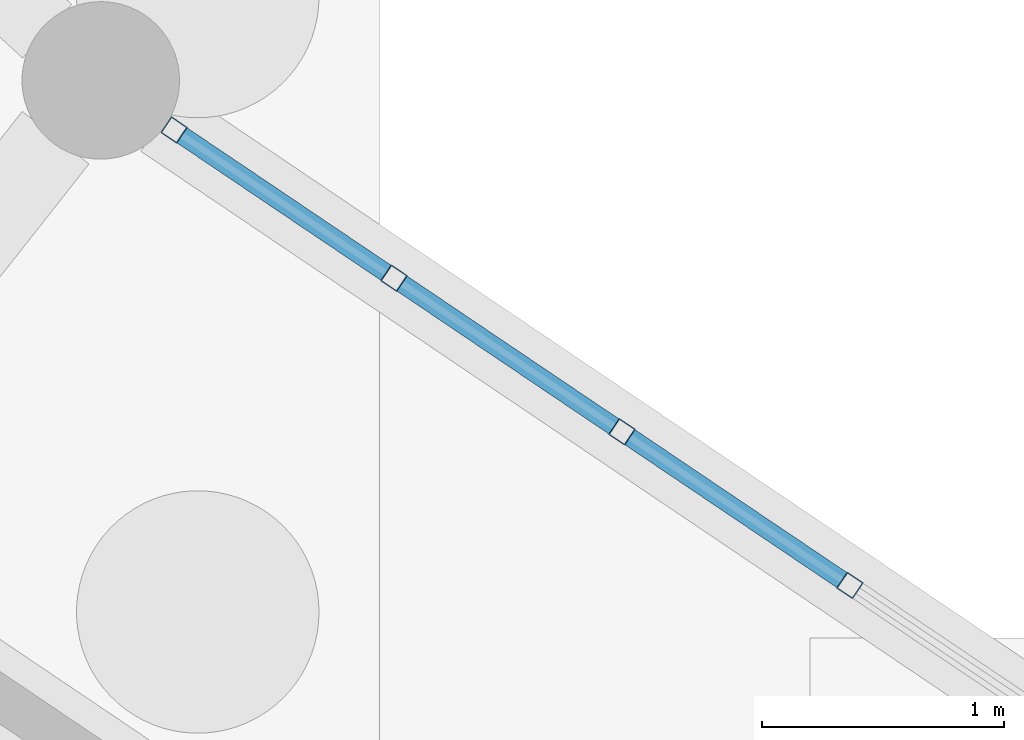
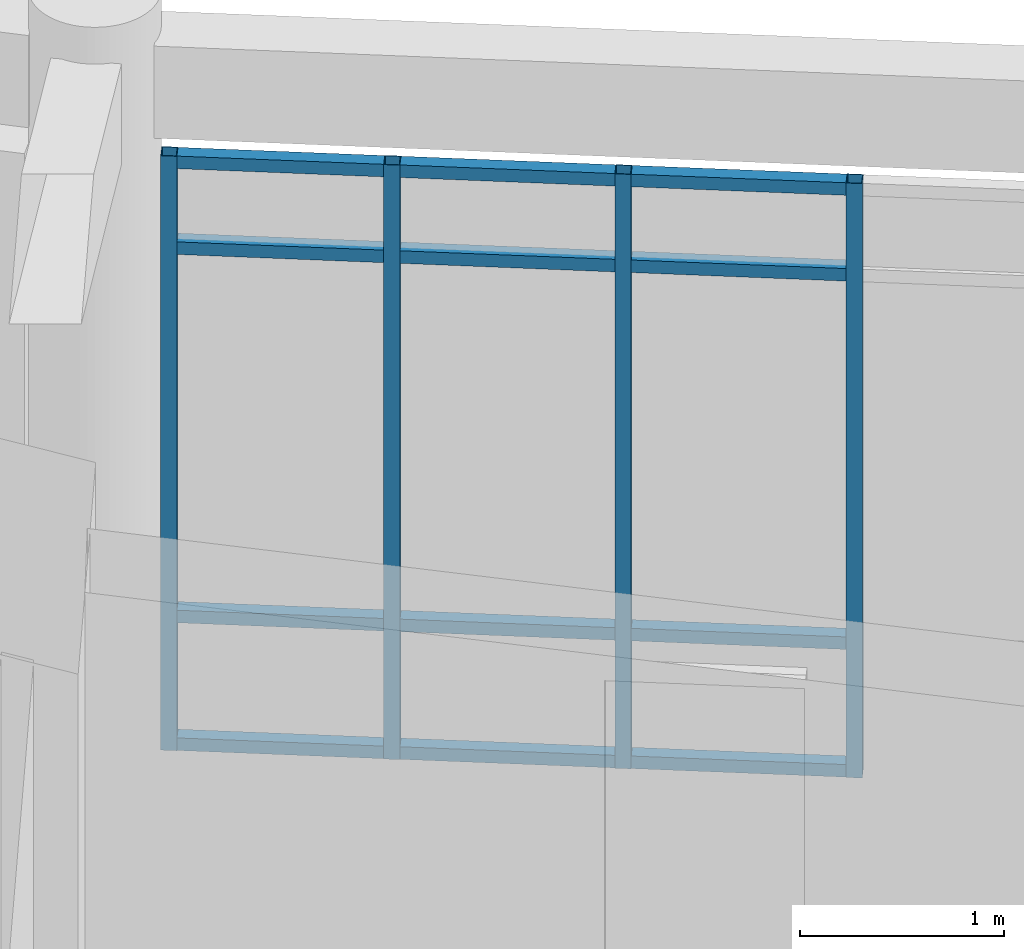
# One storey, part 24 of 153: 16 members, 1 element without a shape of its own.
"""IFC4 building model written with IfcOpenShell, lengths in metres."""

from ifc_helpers import new_model, si_unit, direction, frame, origin, origin_2d, place, context, subcontext, project, spatial, hollow_rectangle, extrude, material, material_profile, profile_set, type_object, element, aggregate, save


model = new_model("IFC4")

# Units and contexts
model_context = context("Model", 3, precision=1e-05, world=origin(), true_north=direction((0.0, 1.0)))
body_context = subcontext(model_context, "Body", "Model", "MODEL_VIEW")
ifc_project = project(units=[si_unit("LENGTHUNIT", "METRE"), si_unit("AREAUNIT", "SQUARE_METRE"), si_unit("VOLUMEUNIT", "CUBIC_METRE"), si_unit("PLANEANGLEUNIT", "RADIAN"), si_unit("MASSUNIT", "GRAM", prefix="KILO")], contexts=[model_context])

# Site, building, storey
site_placement = place(None, origin())
site = spatial("IfcSite", under=ifc_project, at=site_placement, CompositionType="ELEMENT")
building_placement = place(site_placement, origin())
building = spatial("IfcBuilding", under=site, at=building_placement, Name="Celadon Cloister-Ring School", CompositionType="ELEMENT")
storey_placement = place(building_placement, origin())
storey = spatial("IfcBuildingStorey", under=building, at=storey_placement, Name="L00", CompositionType="ELEMENT", Elevation=0.0)

# Curtain wall, members
ifc_material_1 = material(Name="Aluminium EN AW-6063 T6", Category="aluminium")
curtain_wall_type = type_object("IfcCurtainWallType", Name="CW-01", PredefinedType="USERDEFINED", material=ifc_material_1)
curtain_wall_placement = place(storey_placement, origin())
curtain_wall = element("IfcCurtainWall", 1, at=curtain_wall_placement, inside=storey, type_object=curtain_wall_type, Name="Curtain Wall 0008", ObjectType="CURTAIN WALL", PredefinedType="USERDEFINED")
ifc_material_2 = material(Name="Aluminium EN AW-6063 T6", Category="aluminium")
ifc_material_profile_1 = material_profile(ifc_material_2, hollow_rectangle(XDim=0.080078125, YDim=0.080078125, WallThickness=0.00390625, at=origin_2d()), Name="RHS80X80X4")
ifc_profile_set_1 = profile_set([ifc_material_profile_1], Name="Aluminium EN AW-6063 T6")
member_type_1 = type_object("IfcMemberType", Name="CM-03", PredefinedType="MULLION", material=ifc_profile_set_1)
member_1_placement = place(storey_placement, frame((60.908203125, 25.293701171875, 0.0), z_axis=(0.0, 0.0, 1.0), x_axis=(0.558845550563, 0.829271759206, 0.0)))
member_1 = element("IfcMember", 2, at=member_1_placement, type_object=member_type_1, Name="CW-01 mullion 1", PredefinedType="MULLION", context=body_context, shape_type="SweptSolid", body=[
    extrude(hollow_rectangle(XDim=0.080078125, YDim=0.080078125, WallThickness=0.00390625, at=origin_2d()), origin(), (0.0, 0.0, 1.0), 3.550048828125),
])
member_2_placement = place(storey_placement, frame((61.815185546875, 24.682373046875, 0.0), z_axis=(0.0, 0.0, 1.0), x_axis=(0.558845550563, 0.829271759206, 0.0)))
member_2 = element("IfcMember", 3, at=member_2_placement, type_object=member_type_1, Name="CW-01 mullion 2", PredefinedType="MULLION", context=body_context, shape_type="SweptSolid", body=[
    extrude(hollow_rectangle(XDim=0.080078125, YDim=0.080078125, WallThickness=0.00390625, at=origin_2d()), origin(), (0.0, 0.0, 1.0), 3.550048828125),
])
member_3_placement = place(storey_placement, frame((62.75537109375, 24.048828125, 0.0), z_axis=(0.0, 0.0, 1.0), x_axis=(0.558845550563, 0.829271759206, 0.0)))
member_3 = element("IfcMember", 4, at=member_3_placement, type_object=member_type_1, Name="CW-01 mullion 3", PredefinedType="MULLION", context=body_context, shape_type="SweptSolid", body=[
    extrude(hollow_rectangle(XDim=0.080078125, YDim=0.080078125, WallThickness=0.00390625, at=origin_2d()), origin(), (0.0, 0.0, 1.0), 3.550048828125),
])
member_4_placement = place(storey_placement, frame((63.695556640625, 23.415283203125, 0.0), z_axis=(0.0, 0.0, 1.0), x_axis=(0.558845550563, 0.829271759206, 0.0)))
member_4 = element("IfcMember", 5, at=member_4_placement, type_object=member_type_1, Name="CW-01 mullion 4", PredefinedType="MULLION", context=body_context, shape_type="SweptSolid", body=[
    extrude(hollow_rectangle(XDim=0.080078125, YDim=0.080078125, WallThickness=0.00390625, at=origin_2d()), origin(), (0.0, 0.0, 1.0), 3.550048828125),
])
ifc_material_3 = material(Name="Aluminium EN AW-6063 T6", Category="aluminium")
ifc_material_profile_2 = material_profile(ifc_material_3, hollow_rectangle(XDim=0.074951171875, YDim=0.074951171875, WallThickness=0.00390625, at=origin_2d()), Name="RHS75X75X4")
ifc_profile_set_2 = profile_set([ifc_material_profile_2], Name="Aluminium EN AW-6063 T6")
member_type_2 = type_object("IfcMemberType", Name="CTM-03", PredefinedType="USERDEFINED", material=ifc_profile_set_2)
member_5_placement = place(storey_placement, frame((60.94140625, 25.271240234375, 0.03759765625), z_axis=(0.829297972766, -0.558806650252, 0.0), x_axis=(0.558806650252, 0.829297972766, 0.0)))
member_5 = element("IfcMember", 6, at=member_5_placement, type_object=member_type_2, Name="CW-01 transom 1.1", ObjectType="TRANSOM", PredefinedType="USERDEFINED", context=body_context, shape_type="SweptSolid", body=[
    extrude(hollow_rectangle(XDim=0.074951171875, YDim=0.074951171875, WallThickness=0.00390625, at=origin_2d()), origin(), (0.0, 0.0, 1.0), 1.013671875),
])
member_6_placement = place(storey_placement, frame((60.94140625, 25.271240234375, 0.800048828125), z_axis=(0.829297972766, -0.558806650252, 0.0), x_axis=(0.558806650252, 0.829297972766, 0.0)))
member_6 = element("IfcMember", 7, at=member_6_placement, type_object=member_type_2, Name="CW-01 transom 1.2", ObjectType="TRANSOM", PredefinedType="USERDEFINED", context=body_context, shape_type="SweptSolid", body=[
    extrude(hollow_rectangle(XDim=0.074951171875, YDim=0.074951171875, WallThickness=0.00390625, at=origin_2d()), origin(), (0.0, 0.0, 1.0), 1.013671875),
])
member_7_placement = place(storey_placement, frame((60.94140625, 25.271240234375, 3.0), z_axis=(0.829297972766, -0.558806650252, 0.0), x_axis=(0.558806650252, 0.829297972766, 0.0)))
member_7 = element("IfcMember", 8, at=member_7_placement, type_object=member_type_2, Name="CW-01 transom 1.3", ObjectType="TRANSOM", PredefinedType="USERDEFINED", context=body_context, shape_type="SweptSolid", body=[
    extrude(hollow_rectangle(XDim=0.074951171875, YDim=0.074951171875, WallThickness=0.00390625, at=origin_2d()), origin(), (0.0, 0.0, 1.0), 1.013671875),
])
member_8_placement = place(storey_placement, frame((60.94140625, 25.271240234375, 3.512451171875), z_axis=(0.829297972766, -0.558806650252, 0.0), x_axis=(0.558806650252, 0.829297972766, 0.0)))
member_8 = element("IfcMember", 9, at=member_8_placement, type_object=member_type_2, Name="CW-01 transom 1.4", ObjectType="TRANSOM", PredefinedType="USERDEFINED", context=body_context, shape_type="SweptSolid", body=[
    extrude(hollow_rectangle(XDim=0.074951171875, YDim=0.074951171875, WallThickness=0.00390625, at=origin_2d()), origin(), (0.0, 0.0, 1.0), 1.013671875),
])
member_9_placement = place(storey_placement, frame((61.848388671875, 24.66015625, 0.03759765625), z_axis=(0.829152042693, -0.559023157032, 0.0), x_axis=(0.559023157032, 0.829152042693, 0.0)))
member_9 = element("IfcMember", 10, at=member_9_placement, type_object=member_type_2, Name="CW-01 transom 2.1", ObjectType="TRANSOM", PredefinedType="USERDEFINED", context=body_context, shape_type="SweptSolid", body=[
    extrude(hollow_rectangle(XDim=0.074951171875, YDim=0.074951171875, WallThickness=0.00390625, at=origin_2d()), origin(), (0.0, 0.0, 1.0), 1.0537109375),
])
member_10_placement = place(storey_placement, frame((61.848388671875, 24.66015625, 0.800048828125), z_axis=(0.829152042693, -0.559023157032, 0.0), x_axis=(0.559023157032, 0.829152042693, 0.0)))
member_10 = element("IfcMember", 11, at=member_10_placement, type_object=member_type_2, Name="CW-01 transom 2.2", ObjectType="TRANSOM", PredefinedType="USERDEFINED", context=body_context, shape_type="SweptSolid", body=[
    extrude(hollow_rectangle(XDim=0.074951171875, YDim=0.074951171875, WallThickness=0.00390625, at=origin_2d()), origin(), (0.0, 0.0, 1.0), 1.0537109375),
])
member_11_placement = place(storey_placement, frame((61.848388671875, 24.66015625, 3.0), z_axis=(0.829152042693, -0.559023157032, 0.0), x_axis=(0.559023157032, 0.829152042693, 0.0)))
member_11 = element("IfcMember", 12, at=member_11_placement, type_object=member_type_2, Name="CW-01 transom 2.3", ObjectType="TRANSOM", PredefinedType="USERDEFINED", context=body_context, shape_type="SweptSolid", body=[
    extrude(hollow_rectangle(XDim=0.074951171875, YDim=0.074951171875, WallThickness=0.00390625, at=origin_2d()), origin(), (0.0, 0.0, 1.0), 1.0537109375),
])
member_12_placement = place(storey_placement, frame((61.848388671875, 24.66015625, 3.512451171875), z_axis=(0.829152042693, -0.559023157032, 0.0), x_axis=(0.559023157032, 0.829152042693, 0.0)))
member_12 = element("IfcMember", 13, at=member_12_placement, type_object=member_type_2, Name="CW-01 transom 2.4", ObjectType="TRANSOM", PredefinedType="USERDEFINED", context=body_context, shape_type="SweptSolid", body=[
    extrude(hollow_rectangle(XDim=0.074951171875, YDim=0.074951171875, WallThickness=0.00390625, at=origin_2d()), origin(), (0.0, 0.0, 1.0), 1.0537109375),
])
member_13_placement = place(storey_placement, frame((62.78857421875, 24.0263671875, 0.03759765625), z_axis=(0.829259424525, -0.558863853578, 0.0), x_axis=(0.558863853578, 0.829259424525, 0.0)))
member_13 = element("IfcMember", 14, at=member_13_placement, type_object=member_type_2, Name="CW-01 transom 3.1", ObjectType="TRANSOM", PredefinedType="USERDEFINED", context=body_context, shape_type="SweptSolid", body=[
    extrude(hollow_rectangle(XDim=0.074951171875, YDim=0.074951171875, WallThickness=0.00390625, at=origin_2d()), origin(), (0.0, 0.0, 1.0), 1.0537109375),
])
member_14_placement = place(storey_placement, frame((62.78857421875, 24.0263671875, 0.800048828125), z_axis=(0.829259424525, -0.558863853578, 0.0), x_axis=(0.558863853578, 0.829259424525, 0.0)))
member_14 = element("IfcMember", 15, at=member_14_placement, type_object=member_type_2, Name="CW-01 transom 3.2", ObjectType="TRANSOM", PredefinedType="USERDEFINED", context=body_context, shape_type="SweptSolid", body=[
    extrude(hollow_rectangle(XDim=0.074951171875, YDim=0.074951171875, WallThickness=0.00390625, at=origin_2d()), origin(), (0.0, 0.0, 1.0), 1.0537109375),
])
member_15_placement = place(storey_placement, frame((62.78857421875, 24.0263671875, 3.0), z_axis=(0.829259424525, -0.558863853578, 0.0), x_axis=(0.558863853578, 0.829259424525, 0.0)))
member_15 = element("IfcMember", 16, at=member_15_placement, type_object=member_type_2, Name="CW-01 transom 3.3", ObjectType="TRANSOM", PredefinedType="USERDEFINED", context=body_context, shape_type="SweptSolid", body=[
    extrude(hollow_rectangle(XDim=0.074951171875, YDim=0.074951171875, WallThickness=0.00390625, at=origin_2d()), origin(), (0.0, 0.0, 1.0), 1.0537109375),
])
member_16_placement = place(storey_placement, frame((62.78857421875, 24.0263671875, 3.512451171875), z_axis=(0.829259424525, -0.558863853578, 0.0), x_axis=(0.558863853578, 0.829259424525, 0.0)))
member_16 = element("IfcMember", 17, at=member_16_placement, type_object=member_type_2, Name="CW-01 transom 3.4", ObjectType="TRANSOM", PredefinedType="USERDEFINED", context=body_context, shape_type="SweptSolid", body=[
    extrude(hollow_rectangle(XDim=0.074951171875, YDim=0.074951171875, WallThickness=0.00390625, at=origin_2d()), origin(), (0.0, 0.0, 1.0), 1.0537109375),
])
aggregate(curtain_wall, [member_1, member_2, member_3, member_4, member_5, member_6, member_7, member_8, member_9, member_10, member_11, member_12, member_13, member_14, member_15, member_16])

save(model, "model.ifc")
